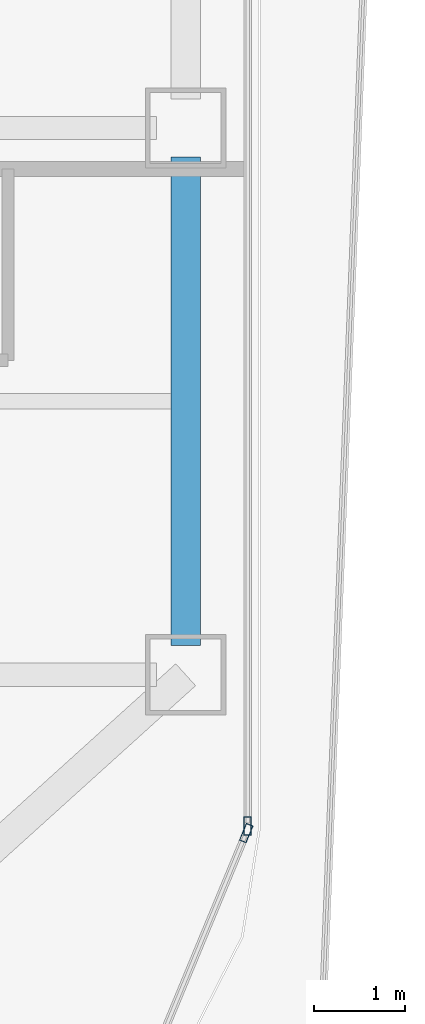
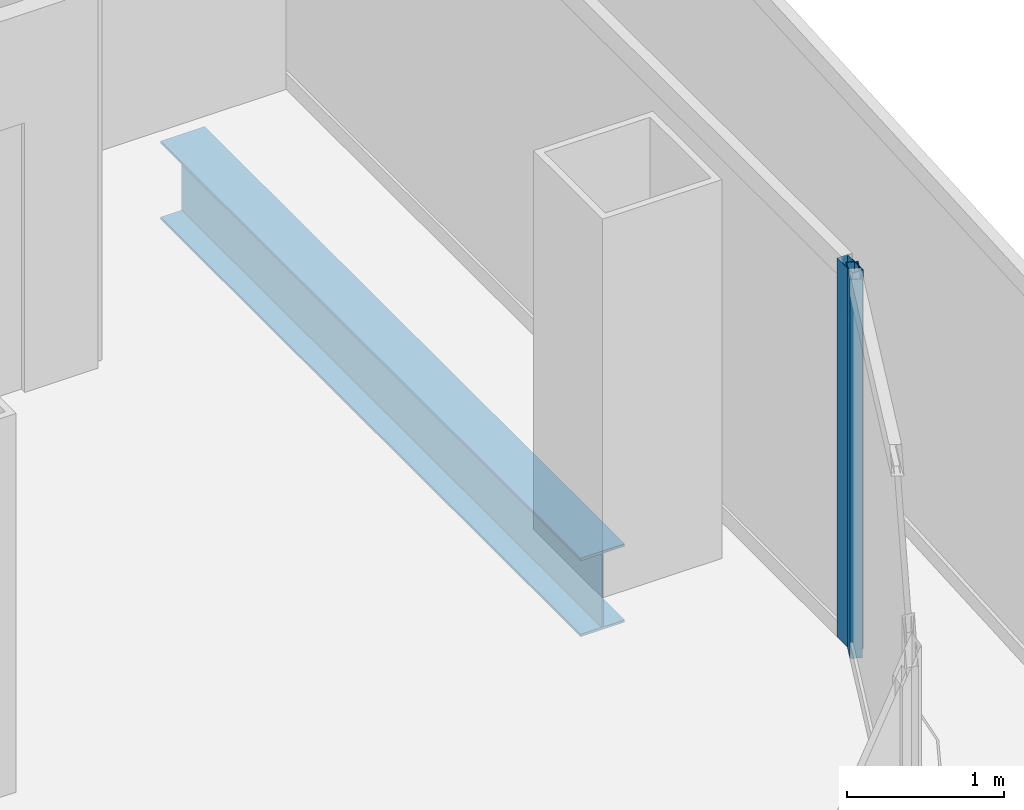
# One storey, part 8 of 21: 2 members, 1 beam, 2 elements without a shape of their own.
"""IFC4 building model written with IfcOpenShell, lengths in metres."""

import ifcopenshell
import ifcopenshell.guid

model = None  # the IFC model being written
_history = None  # IfcOwnerHistory: only IFC2X3 demands one
_inside = {}  # id of a spatial element -> (the spatial element, [elements in it])
_under = {}  # id of a project, library or spatial element -> (it, [spatial elements below it])
_declared = {}  # id of a project -> (the project, [libraries it declares])
_typed = {}  # id of a type object -> (the type object, [elements of that type])
_made_of = {}  # id of a material, layer set ... -> (it, [elements and type objects made of it])


def new_model(schema):
    """Start an empty IFC model of exactly this schema.

    Asked for "IFC4X3", IfcOpenShell would pick the latest addendum, in which some entities
    have other attributes; the version numbers below select the first issue.
    IFC2X3 requires an IfcOwnerHistory on every rooted entity: one is made here for all.
    """
    global model, _history
    if schema == "IFC4X3":
        model = ifcopenshell.file(schema_version=(4, 3, 0, 0))
    else:
        model = ifcopenshell.file(schema=schema)
    _inside.clear()
    _under.clear()
    _declared.clear()
    _typed.clear()
    _made_of.clear()
    _history = None
    if model.schema == "IFC2X3":
        org = make("IfcOrganization", Name="unknown")
        user = make(
            "IfcPersonAndOrganization",
            ThePerson=make("IfcPerson", FamilyName="unknown"),
            TheOrganization=org,
        )
        app = make(
            "IfcApplication",
            ApplicationDeveloper=org,
            Version="unknown",
            ApplicationFullName="unknown",
            ApplicationIdentifier="unknown",
        )
        _history = make(
            "IfcOwnerHistory",
            OwningUser=user,
            OwningApplication=app,
            ChangeAction="ADDED",
            CreationDate=0,
        )
    return model


def make(cls, **values):
    """One entity of the class cls with the attributes given. An attribute that is None is left unset."""
    return model.create_entity(
        cls, **{name: value for name, value in values.items() if value is not None}
    )


def rooted(cls, **values):
    """An entity with a GlobalId (a new one), such as an element, a storey or a relation."""
    return make(cls, GlobalId=ifcopenshell.guid.new(), OwnerHistory=_history, **values)


def si_unit(unit_type, name, prefix=None):
    """IfcSIUnit, for example si_unit("LENGTHUNIT", "METRE", prefix="MILLI")."""
    return make("IfcSIUnit", UnitType=unit_type, Prefix=prefix, Name=name)


def assignment(units):
    """IfcUnitAssignment: the units of a project."""
    return None if units is None else make("IfcUnitAssignment", Units=units)


def point(xyz):
    """IfcCartesianPoint."""
    return None if xyz is None else make("IfcCartesianPoint", Coordinates=xyz)


def direction(xyz):
    """IfcDirection."""
    return None if xyz is None else make("IfcDirection", DirectionRatios=xyz)


def frame(location, z_axis=None, x_axis=None):
    """IfcAxis2Placement3D, a coordinate frame: its origin and axes. An axis left out is left unset."""
    return make(
        "IfcAxis2Placement3D",
        Location=point(location),
        Axis=direction(z_axis),
        RefDirection=direction(x_axis),
    )


def frame_2d(location, x_axis=None):
    """IfcAxis2Placement2D, a coordinate frame in the plane: its origin and x axis."""
    return make(
        "IfcAxis2Placement2D", Location=point(location), RefDirection=direction(x_axis)
    )


def origin():
    """The frame at (0, 0, 0) with its axes left unset."""
    return frame((0.0, 0.0, 0.0))


def origin_2d():
    """The frame at (0, 0) in the plane with its x axis left unset."""
    return frame_2d((0.0, 0.0))


def place(relative_to, where):
    """IfcLocalPlacement: puts the frame where relative to a parent placement (None: the world)."""
    return make(
        "IfcLocalPlacement", PlacementRelTo=relative_to, RelativePlacement=where
    )


def context(
    kind, dimensions, precision=None, world=None, true_north=None, identifier=None
):
    """IfcGeometricRepresentationContext, for example the 3D "Model" context."""
    return make(
        "IfcGeometricRepresentationContext",
        ContextIdentifier=identifier,
        ContextType=kind,
        CoordinateSpaceDimension=dimensions,
        Precision=precision,
        WorldCoordinateSystem=world,
        TrueNorth=true_north,
    )


def subcontext(parent, identifier, kind, view, scale=None):
    """IfcGeometricRepresentationSubContext, for example "Body" below "Model"."""
    return make(
        "IfcGeometricRepresentationSubContext",
        ContextIdentifier=identifier,
        ContextType=kind,
        ParentContext=parent,
        TargetScale=scale,
        TargetView=view,
    )


def project(units=None, contexts=None):
    """IfcProject with its units and contexts."""
    return rooted(
        "IfcProject",
        Name="project",
        RepresentationContexts=contexts,
        UnitsInContext=assignment(units),
    )


def spatial(cls, under=None, at=None, **own):
    """A site, building, storey or space (cls), placed at a placement, below another one or the project."""
    s = rooted(cls, ObjectPlacement=at, **own)
    if under is not None:
        _under.setdefault(under.id(), (under, []))[1].append(s)
    return s


def profile(cls, at=None, kind="AREA", **sizes):
    """A parametric profile (cls). Its sizes go by their IFC names, for example OverallWidth=200.0."""
    return make(cls, ProfileType=kind, Position=at, **sizes)


def hollow_rectangle(**sizes):
    """IfcRectangleHollowProfileDef."""
    return profile("IfcRectangleHollowProfileDef", **sizes)


def i_section(**sizes):
    """IfcIShapeProfileDef."""
    return profile("IfcIShapeProfileDef", **sizes)


def extrude(swept, where, along, depth):
    """IfcExtrudedAreaSolid: the profile swept, set in the frame where, extruded along a direction by depth."""
    return make(
        "IfcExtrudedAreaSolid",
        SweptArea=swept,
        Position=where,
        ExtrudedDirection=direction(along),
        Depth=depth,
    )


def shape(context_of_items, identifier, shape_type, items):
    """IfcShapeRepresentation: the items that make up one representation, for example the "Body"."""
    return make(
        "IfcShapeRepresentation",
        ContextOfItems=context_of_items,
        RepresentationIdentifier=identifier,
        RepresentationType=shape_type,
        Items=items,
    )


def source(mapping_origin, context_of_items, identifier, shape_type, items):
    """IfcRepresentationMap: a shape defined once, which mapped items show again and again."""
    return make(
        "IfcRepresentationMap",
        MappingOrigin=mapping_origin,
        MappedRepresentation=shape(context_of_items, identifier, shape_type, items),
    )


def transform(
    local_origin,
    x_axis=None,
    y_axis=None,
    z_axis=None,
    scale=None,
    scale2=None,
    scale3=None,
    uniform=True,
):
    """IfcCartesianTransformationOperator3D, or its non-uniform kind. x_axis, y_axis, z_axis: its Axis1, 2, 3."""
    if uniform:
        return make(
            "IfcCartesianTransformationOperator3D",
            Axis1=direction(x_axis),
            Axis2=direction(y_axis),
            LocalOrigin=point(local_origin),
            Scale=scale,
            Axis3=direction(z_axis),
        )
    return make(
        "IfcCartesianTransformationOperator3DnonUniform",
        Axis1=direction(x_axis),
        Axis2=direction(y_axis),
        LocalOrigin=point(local_origin),
        Scale=scale,
        Axis3=direction(z_axis),
        Scale2=scale2,
        Scale3=scale3,
    )


def mapped(mapping_source, mapping_target):
    """IfcMappedItem: shows the shape of a source again, moved by a transform."""
    return make(
        "IfcMappedItem", MappingSource=mapping_source, MappingTarget=mapping_target
    )


def material(Name=None, Category=None):
    """IfcMaterial."""
    return make("IfcMaterial", Name=Name, Category=Category)


def layer(
    of_material, thickness, ventilated=None, Name=None, Category=None, Priority=None
):
    """IfcMaterialLayer: one layer of a wall or slab, of a material (None: an air gap)."""
    return make(
        "IfcMaterialLayer",
        Material=of_material,
        LayerThickness=thickness,
        IsVentilated=ventilated,
        Name=Name,
        Category=Category,
        Priority=Priority,
    )


def layer_set(layers, Name=None):
    """IfcMaterialLayerSet."""
    return make("IfcMaterialLayerSet", MaterialLayers=layers, LayerSetName=Name)


def material_profile(
    of_material, cross_section, Name=None, Category=None, Priority=None
):
    """IfcMaterialProfile: a cross section and its material."""
    return make(
        "IfcMaterialProfile",
        Name=Name,
        Material=of_material,
        Profile=cross_section,
        Priority=Priority,
        Category=Category,
    )


def profile_set(profiles, Name=None, composite=None):
    """IfcMaterialProfileSet."""
    return make(
        "IfcMaterialProfileSet",
        Name=Name,
        MaterialProfiles=profiles,
        CompositeProfile=composite,
    )


def made_of(thing, what):
    """Note that an element or type object is made of a material, layer set ...; save() writes the relation."""
    if what is not None:
        _made_of.setdefault(what.id(), (what, []))[1].append(thing)
    return thing


def type_object(cls, material=None, **own):
    """A type object (cls), such as IfcWallType, which elements share."""
    return made_of(rooted(cls, **own), material)


def element(
    cls,
    number,
    at=None,
    inside=None,
    cuts=None,
    type_object=None,
    material=None,
    context=None,
    identifier="Body",
    shape_type=None,
    held_by="IfcProductDefinitionShape",
    body=None,
    shapes=None,
    **own,
):
    """One element of the class cls, such as IfcWall. Its Tag is "e" and its number.

    at: its placement. inside: the storey or other place that contains it. cuts: it is an
    opening in that element (IfcRelVoidsElement). A single representation is given by context,
    identifier, shape_type and body (its items); several are given by shapes. held_by: the class
    of the entity that holds the representations. save() writes the other relations.
    """
    e = rooted(cls, Tag="e%d" % number, ObjectPlacement=at, **own)
    if body is not None:
        shapes = [shape(context, identifier, shape_type, body)]
    if shapes is not None:
        e.Representation = make(held_by, Representations=shapes)
    if inside is not None:
        _inside.setdefault(inside.id(), (inside, []))[1].append(e)
    if cuts is not None:
        rooted(
            "IfcRelVoidsElement", RelatingBuildingElement=cuts, RelatedOpeningElement=e
        )
    if type_object is not None:
        _typed.setdefault(type_object.id(), (type_object, []))[1].append(e)
    return made_of(e, material)


def aggregate(whole, parts):
    """IfcRelAggregates: a whole, such as a stair, and the parts it consists of."""
    return rooted("IfcRelAggregates", RelatingObject=whole, RelatedObjects=parts)


def save(model, path):
    """Write the relations noted so far, then the file.

    IfcRelAggregates (storeys below a building ...), IfcRelContainedInSpatialStructure (elements
    in a storey), IfcRelDefinesByType, IfcRelAssociatesMaterial and IfcRelDeclares: one each for
    every whole, place, type object, material and project.
    """
    for whole, parts in _under.values():
        aggregate(whole, parts)
    for where, things in _inside.values():
        rooted(
            "IfcRelContainedInSpatialStructure",
            RelatedElements=things,
            RelatingStructure=where,
        )
    for kind, things in _typed.values():
        rooted("IfcRelDefinesByType", RelatedObjects=things, RelatingType=kind)
    for what, things in _made_of.values():
        rooted("IfcRelAssociatesMaterial", RelatedObjects=things, RelatingMaterial=what)
    for by, libraries in _declared.values():
        rooted("IfcRelDeclares", RelatingContext=by, RelatedDefinitions=libraries)
    model.write(path)


model = new_model("IFC4")

# Units and contexts
model_context = context("Model", 3, precision=1e-05, world=origin(), true_north=direction((0.0, 1.0)))
body_context = subcontext(model_context, "Body", "Model", "MODEL_VIEW")
ifc_project = project(units=[si_unit("LENGTHUNIT", "METRE"), si_unit("AREAUNIT", "SQUARE_METRE"), si_unit("VOLUMEUNIT", "CUBIC_METRE"), si_unit("PLANEANGLEUNIT", "RADIAN"), si_unit("MASSUNIT", "GRAM", prefix="KILO")], contexts=[model_context])

# Site, building, storey
site_placement = place(None, origin())
site = spatial("IfcSite", under=ifc_project, at=site_placement, CompositionType="ELEMENT")
building_placement = place(site_placement, origin())
building = spatial("IfcBuilding", under=site, at=building_placement, Name="Kolveth Station Tower", CompositionType="ELEMENT")
storey_placement = place(building_placement, frame((0.0, 0.0, 137.5)))
storey = spatial("IfcBuildingStorey", under=building, at=storey_placement, Name="L38", CompositionType="ELEMENT", Elevation=137.5)

# Beam
ifc_material_1 = material(Name="Steel S355", Category="steel")
ifc_material_profile_1 = material_profile(ifc_material_1, i_section(OverallWidth=0.323974609375, OverallDepth=0.611083984375, WebThickness=0.0126953125, FlangeThickness=0.01904296875, at=origin_2d()), Name="W610x155")
ifc_profile_set_1 = profile_set([ifc_material_profile_1], Name="Steel S355")
beam_type = type_object("IfcBeamType", Name="Beam_SP2", PredefinedType="SPANDREL", material=ifc_profile_set_1)
shared_shape_1 = source(origin(), body_context, "Body", "SweptSolid", [
    extrude(i_section(OverallWidth=0.323974609375, OverallDepth=0.611083984375, WebThickness=0.0126953125, FlangeThickness=0.01904296875, at=origin_2d()), origin(), (0.0, 0.0, 1.0), 5.35986328125),
])
beam_placement = place(storey_placement, frame((46.199951171875, 5.820068359375, -0.555419921875), z_axis=(0.0, 1.0, 0.0), x_axis=(-1.0, 0.0, 0.0)))
element("IfcBeam", 1, at=beam_placement, inside=storey, type_object=beam_type, Name="L38 Perimeter Spandrel BM-L38-PE-1", PredefinedType="SPANDREL", context=body_context, shape_type="MappedRepresentation", body=[
    mapped(shared_shape_1, transform((0.0, 0.0, 0.0), x_axis=(1.0, 0.0, 0.0), y_axis=(0.0, 1.0, 0.0), z_axis=(0.0, 0.0, 1.0), scale=1.0)),
])

# Curtain wall, member
ifc_material_2 = material(Name="Aluminium 6063-T6 and low-E dark glass", Category="aluminium")
ifc_layer = layer(ifc_material_2, 0.18994140625)
ifc_layer_set = layer_set([ifc_layer], Name="Aluminium 6063-T6 and low-E dark glass")
curtain_wall_type = type_object("IfcCurtainWallType", Name="CurtainWall_CW-Z2", PredefinedType="NOTDEFINED", material=ifc_layer_set)
curtain_wall_1_placement = place(storey_placement, origin())
curtain_wall_1 = element("IfcCurtainWall", 2, at=curtain_wall_1_placement, inside=storey, type_object=curtain_wall_type, Name="L38 Inner Thermal Curtain Wall 2", PredefinedType="NOTDEFINED")
ifc_material_3 = material(Name="Black anodized aluminium 6063-T6", Category="aluminium")
ifc_material_profile_2 = material_profile(ifc_material_3, hollow_rectangle(XDim=0.080078125, YDim=0.199951171875, WallThickness=0.0048828125, at=origin_2d()), Name="ALU-80x200x5")
ifc_profile_set_2 = profile_set([ifc_material_profile_2], Name="Black anodized aluminium 6063-T6")
member_type = type_object("IfcMemberType", Name="Mullion_ML2", PredefinedType="MULLION", material=ifc_profile_set_2)
shared_shape_2 = source(origin(), body_context, "Body", "SweptSolid", [
    extrude(hollow_rectangle(XDim=0.080078125, YDim=0.199951171875, WallThickness=0.0048828125, at=origin_2d()), origin(), (0.0, 0.0, 1.0), 2.949951171875),
])
member_1_placement = place(storey_placement, frame((46.86474609375, 3.762939453125, 0.0), z_axis=(0.0, 0.0, 1.0), x_axis=(-0.923887883787, 0.38266326998, 0.0)))
member_1 = element("IfcMember", 3, at=member_1_placement, type_object=member_type, Name="CW-Z2 mullion 2", PredefinedType="MULLION", context=body_context, shape_type="MappedRepresentation", body=[
    mapped(shared_shape_2, transform((0.0, 0.0, 0.0), x_axis=(1.0, 0.0, 0.0), y_axis=(0.0, 1.0, 0.0), z_axis=(0.0, 0.0, 1.0), scale=1.0)),
])
aggregate(curtain_wall_1, [member_1])

curtain_wall_2_placement = place(storey_placement, origin())
curtain_wall_2 = element("IfcCurtainWall", 4, at=curtain_wall_2_placement, inside=storey, type_object=curtain_wall_type, Name="L38 Inner Thermal Curtain Wall 3", PredefinedType="NOTDEFINED")
member_2_placement = place(storey_placement, frame((46.8798828125, 3.840087890625, 0.0), z_axis=(0.0, 0.0, 1.0), x_axis=(-1.0, 0.0, 0.0)))
member_2 = element("IfcMember", 5, at=member_2_placement, type_object=member_type, Name="CW-Z2 mullion 1", PredefinedType="MULLION", context=body_context, shape_type="MappedRepresentation", body=[
    mapped(shared_shape_2, transform((0.0, 0.0, 0.0), x_axis=(1.0, 0.0, 0.0), y_axis=(0.0, 1.0, 0.0), z_axis=(0.0, 0.0, 1.0), scale=1.0)),
])
aggregate(curtain_wall_2, [member_2])

save(model, "model.ifc")
